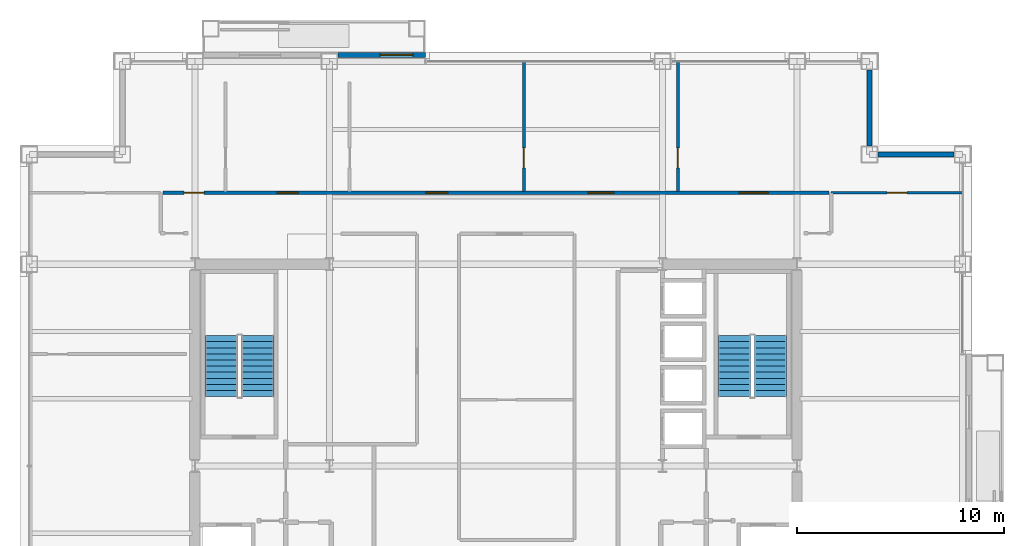
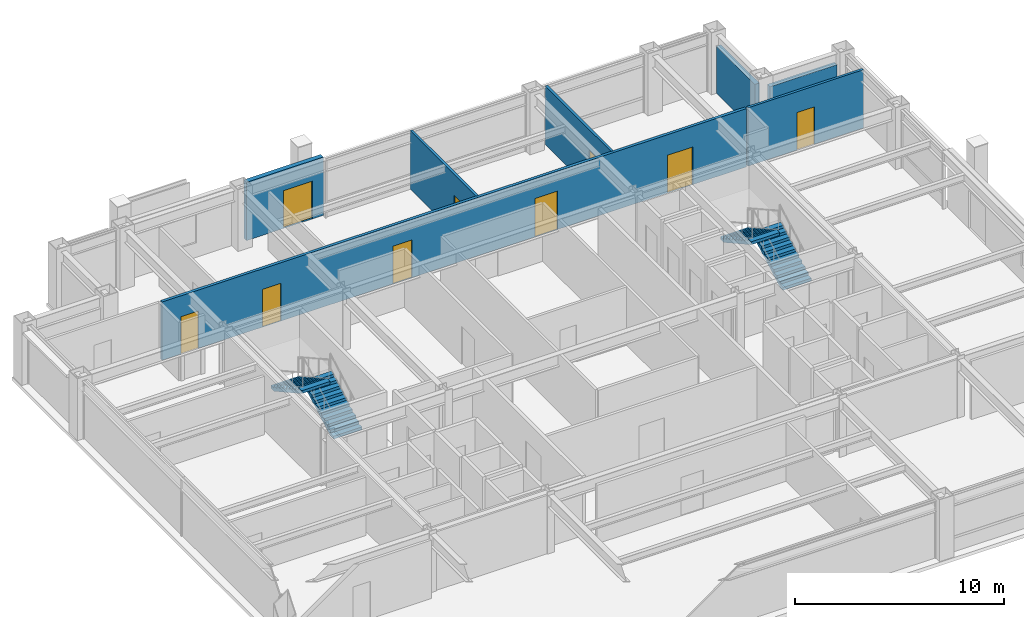
# One storey, part 27 of 29: 9 doors, 7 walls, 4 stair flights, 9 openings, 2 elements without a shape of their own.
"""IFC4 building model written with IfcOpenShell, lengths in metres."""

from ifc_helpers import new_model, si_unit, direction, frame, frame_2d, origin, place, context, subcontext, project, spatial, polyline, rectangle, outline, extrude, material, layer, layer_set, type_object, element, fill, aggregate, save


model = new_model("IFC4")

# Units and contexts
model_context = context("Model", 3, precision=1e-05, world=origin(), true_north=direction((0.0, 1.0)))
body_context = subcontext(model_context, "Body", "Model", "MODEL_VIEW")
ifc_project = project(units=[si_unit("LENGTHUNIT", "METRE"), si_unit("AREAUNIT", "SQUARE_METRE"), si_unit("VOLUMEUNIT", "CUBIC_METRE"), si_unit("PLANEANGLEUNIT", "RADIAN"), si_unit("MASSUNIT", "GRAM", prefix="KILO")], contexts=[model_context])

# Site, building, storey
site_placement = place(None, origin())
site = spatial("IfcSite", under=ifc_project, at=site_placement, CompositionType="ELEMENT")
building_placement = place(site_placement, origin())
building = spatial("IfcBuilding", under=site, at=building_placement, Name="Brelmoor Portico Tower", CompositionType="ELEMENT")
storey_placement = place(building_placement, frame((0.0, 0.0, 135.0)))
storey = spatial("IfcBuildingStorey", under=building, at=storey_placement, Name="L35", CompositionType="ELEMENT", Elevation=135.0)

# Wall, opening, door
ifc_material_1 = material(Name="Precast Concrete C40 Insulated Facade Wall", Category="concrete")
ifc_layer_1 = layer(ifc_material_1, 0.25)
ifc_layer_set_1 = layer_set([ifc_layer_1], Name="Precast Concrete C40 Insulated Facade Wall")
wall_type_1 = type_object("IfcWallType", Name="WL-EXT-250", PredefinedType="STANDARD", material=ifc_layer_set_1)
wall_1_placement = place(storey_placement, frame((-7.6298828125, 19.860107421875, 0.0), z_axis=(0.0, 0.0, 1.0), x_axis=(1.0, 0.0, 0.0)))
wall_1 = element("IfcWall", 1, at=wall_1_placement, inside=storey, type_object=wall_type_1, Name="L35 Loggia Threshold Wall N-2", PredefinedType="STANDARD", context=body_context, shape_type="SweptSolid", body=[
    extrude(rectangle(XDim=4.22998046875, YDim=0.25, at=frame_2d((2.114990234375, 0.0))), origin(), (0.0, 0.0, 1.0), 3.39990234375),
])
opening_1_placement = place(wall_1_placement, frame((2.030029296875, 0.0, 0.0)))
opening_1 = element("IfcOpeningElement", 2, at=opening_1_placement, cuts=wall_1, Name="Opening D-TB1", PredefinedType="OPENING", context=body_context, shape_type="SweptSolid", body=[
    extrude(rectangle(XDim=1.60009765625, YDim=2.199951171875, at=frame_2d((0.800048828125, 1.10009765625))), frame((0.0, 0.135009765625, 0.0), z_axis=(0.0, -1.0, 0.0), x_axis=(1.0, 0.0, 0.0)), (0.0, 0.0, 1.0), 0.27001953125),
])
ifc_material_2 = material(Name="Double-Leaf Thermally Broken Terrace Door", Category="aluminium")
door_type_1 = type_object("IfcDoorType", Name="DR-BALCONY-1600", OperationType="NOTDEFINED", PredefinedType="DOOR", material=ifc_material_2)
door_1_placement = place(opening_1_placement, origin())
door_1 = element("IfcDoor", 3, at=door_1_placement, inside=storey, type_object=door_type_1, Name="D-1546 L35 Tree Balcony Double Door N", OperationType="DOUBLE_DOOR_SINGLE_SWING", OverallHeight=2.199951171875, OverallWidth=1.60009765625, PredefinedType="DOOR", context=body_context, shape_type="SweptSolid", body=[
    extrude(rectangle(XDim=1.60009765625, YDim=2.199951171875, at=frame_2d((0.800048828125, 1.10009765625))), frame((0.0, 0.02490234375, 0.0), z_axis=(0.0, -1.0, 0.0), x_axis=(1.0, 0.0, 0.0)), (0.0, 0.0, 1.0), 0.050048828125),
])
fill(opening_1, door_1)

# Walls
for number, where, z_axis, x_axis, name in (
    (4, (18.4599609375, 15.050048828125, 0.0), (0.0, 0.0, 1.0), (1.0, 0.0, 0.0), "L35 Corner Notch Facade Wall NNEH1"),
    (5, (18.050048828125, 15.4599609375, 0.0), (0.0, 0.0, 1.0), (0.0, 1.0, 0.0), "L35 Corner Notch Facade Wall NNEV1"),
):
    element("IfcWall", number, at=place(storey_placement, frame(where, z_axis=z_axis, x_axis=x_axis)), inside=storey, type_object=wall_type_1, Name=name, PredefinedType="STANDARD", context=body_context, shape_type="SweptSolid", body=[
        extrude(rectangle(XDim=3.679931640625, YDim=0.25, at=frame_2d((1.83984375, 0.0))), origin(), (0.0, 0.0, 1.0), 2.75),
    ])

# Wall, opening, door
ifc_material_3 = material(Name="Insulated Stud Suite Partition", Category="gypsum")
ifc_layer_2 = layer(ifc_material_3, 0.139892578125)
ifc_layer_set_2 = layer_set([ifc_layer_2], Name="Insulated Stud Suite Partition")
wall_type_2 = type_object("IfcWallType", Name="WL-PART-140", PredefinedType="PARTITIONING", material=ifc_layer_set_2)
wall_2_placement = place(storey_placement, frame((1.352783203125, 13.260009765625, 0.0), z_axis=(0.0, 0.0, 1.0), x_axis=(0.0, 1.0, 0.0)))
wall_2 = element("IfcWall", 6, at=wall_2_placement, inside=storey, type_object=wall_type_2, Name="L35 North Suite Partition 3", PredefinedType="PARTITIONING", context=body_context, shape_type="SweptSolid", body=[
    extrude(rectangle(XDim=6.300048828125, YDim=0.139892578125, at=frame_2d((3.14990234375, 0.0))), origin(), (0.0, 0.0, 1.0), 3.39990234375),
])
opening_2_placement = place(wall_2_placement, frame((1.14990234375, 0.0, 0.0)))
opening_2 = element("IfcOpeningElement", 7, at=opening_2_placement, cuts=wall_2, Name="Opening D-IN2", PredefinedType="OPENING", context=body_context, shape_type="SweptSolid", body=[
    extrude(rectangle(XDim=0.9599609375, YDim=2.179931640625, at=frame_2d((0.47998046875, 1.08984375))), frame((0.0, 0.079833984375, 0.0), z_axis=(0.0, -1.0, 0.0), x_axis=(1.0, 0.0, 0.0)), (0.0, 0.0, 1.0), 0.159912109375),
])
ifc_material_4 = material(Name="Lacquered Timber Suite Door", Category="wood")
door_type_2 = type_object("IfcDoorType", Name="DR-INT-950", OperationType="NOTDEFINED", PredefinedType="DOOR", material=ifc_material_4)
door_2_placement = place(opening_2_placement, origin())
door_2 = element("IfcDoor", 8, at=door_2_placement, inside=storey, type_object=door_type_2, Name="D-1534 L35 North Suite Connecting Door 3", OperationType="SINGLE_SWING_LEFT", OverallHeight=2.179931640625, OverallWidth=0.9599609375, PredefinedType="DOOR", context=body_context, shape_type="SweptSolid", body=[
    extrude(rectangle(XDim=0.9599609375, YDim=2.179931640625, at=frame_2d((0.47998046875, 1.08984375))), frame((0.0, 0.02490234375, 0.0), z_axis=(0.0, -1.0, 0.0), x_axis=(1.0, 0.0, 0.0)), (0.0, 0.0, 1.0), 0.050048828125),
])
fill(opening_2, door_2)

wall_3_placement = place(storey_placement, frame((8.793212890625, 13.260009765625, 0.0), z_axis=(0.0, 0.0, 1.0), x_axis=(0.0, 1.0, 0.0)))
wall_3 = element("IfcWall", 9, at=wall_3_placement, inside=storey, type_object=wall_type_2, Name="L35 North Suite Partition 4", PredefinedType="PARTITIONING", context=body_context, shape_type="SweptSolid", body=[
    extrude(rectangle(XDim=6.300048828125, YDim=0.139892578125, at=frame_2d((3.14990234375, 0.0))), origin(), (0.0, 0.0, 1.0), 3.39990234375),
])
opening_3_placement = place(wall_3_placement, frame((1.14990234375, 0.0, 0.0)))
opening_3 = element("IfcOpeningElement", 10, at=opening_3_placement, cuts=wall_3, Name="Opening D-IN2", PredefinedType="OPENING", context=body_context, shape_type="SweptSolid", body=[
    extrude(rectangle(XDim=0.9599609375, YDim=2.179931640625, at=frame_2d((0.47998046875, 1.08984375))), frame((0.0, 0.079833984375, 0.0), z_axis=(0.0, -1.0, 0.0), x_axis=(1.0, 0.0, 0.0)), (0.0, 0.0, 1.0), 0.159912109375),
])
door_3_placement = place(opening_3_placement, origin())
door_3 = element("IfcDoor", 11, at=door_3_placement, inside=storey, type_object=door_type_2, Name="D-1535 L35 North Suite Connecting Door 4", OperationType="SINGLE_SWING_RIGHT", OverallHeight=2.179931640625, OverallWidth=0.9599609375, PredefinedType="DOOR", context=body_context, shape_type="SweptSolid", body=[
    extrude(rectangle(XDim=0.9599609375, YDim=2.179931640625, at=frame_2d((0.47998046875, 1.08984375))), frame((0.0, 0.02490234375, 0.0), z_axis=(0.0, -1.0, 0.0), x_axis=(1.0, 0.0, 0.0)), (0.0, 0.0, 1.0), 0.050048828125),
])
fill(opening_3, door_3)

wall_4_placement = place(storey_placement, frame((16.199951171875, 13.199951171875, 0.0), z_axis=(0.0, 0.0, 1.0), x_axis=(1.0, 0.0, 0.0)))
wall_4 = element("IfcWall", 12, at=wall_4_placement, inside=storey, type_object=wall_type_2, Name="L35 North Wing Closure ER", PredefinedType="PARTITIONING", context=body_context, shape_type="SweptSolid", body=[
    extrude(rectangle(XDim=6.360107421875, YDim=0.139892578125, at=frame_2d((3.18017578125, 0.0))), origin(), (0.0, 0.0, 1.0), 3.39990234375),
])
opening_4_placement = place(wall_4_placement, frame((2.699951171875, 0.0, 0.0)))
opening_4 = element("IfcOpeningElement", 13, at=opening_4_placement, cuts=wall_4, Name="Opening D-IN2", PredefinedType="OPENING", context=body_context, shape_type="SweptSolid", body=[
    extrude(rectangle(XDim=0.9599609375, YDim=2.179931640625, at=frame_2d((0.47998046875, 1.08984375))), frame((0.0, 0.079833984375, 0.0), z_axis=(0.0, -1.0, 0.0), x_axis=(1.0, 0.0, 0.0)), (0.0, 0.0, 1.0), 0.159912109375),
])
door_4_placement = place(opening_4_placement, origin())
door_4 = element("IfcDoor", 14, at=door_4_placement, inside=storey, type_object=door_type_2, Name="D-1536 L35 ER Wing North Suite Door", OperationType="SINGLE_SWING_RIGHT", OverallHeight=2.179931640625, OverallWidth=0.9599609375, PredefinedType="DOOR", context=body_context, shape_type="SweptSolid", body=[
    extrude(rectangle(XDim=0.9599609375, YDim=2.179931640625, at=frame_2d((0.47998046875, 1.08984375))), frame((0.0, 0.02490234375, 0.0), z_axis=(0.0, -1.0, 0.0), x_axis=(1.0, 0.0, 0.0)), (0.0, 0.0, 1.0), 0.050048828125),
])
fill(opening_4, door_4)

# Wall, openings, doors
ifc_material_5 = material(Name="Twin-Frame Acoustic Partition", Category="gypsum")
ifc_layer_3 = layer(ifc_material_5, 0.159912109375)
ifc_layer_set_3 = layer_set([ifc_layer_3], Name="Twin-Frame Acoustic Partition")
wall_type_3 = type_object("IfcWallType", Name="WL-PART-160", PredefinedType="PARTITIONING", material=ifc_layer_set_3)
wall_5_placement = place(storey_placement, frame((-16.10009765625, 13.199951171875, 0.0), z_axis=(0.0, 0.0, 1.0), x_axis=(1.0, 0.0, 0.0)))
wall_5 = element("IfcWall", 15, at=wall_5_placement, inside=storey, type_object=wall_type_3, Name="L35 North Corridor Partition", PredefinedType="PARTITIONING", context=body_context, shape_type="SweptSolid", body=[
    extrude(rectangle(XDim=32.2001953125, YDim=0.159912109375, at=frame_2d((16.10009765625, 0.0))), origin(), (0.0, 0.0, 1.0), 3.39990234375),
])
opening_5_placement = place(wall_5_placement, frame((1.034912109375, 0.0, 0.0)))
opening_5 = element("IfcOpeningElement", 16, at=opening_5_placement, cuts=wall_5, Name="Opening D-IN2", PredefinedType="OPENING", context=body_context, shape_type="SweptSolid", body=[
    extrude(rectangle(XDim=0.9599609375, YDim=2.179931640625, at=frame_2d((0.47998046875, 1.08984375))), frame((0.0, 0.08984375, 0.0), z_axis=(0.0, -1.0, 0.0), x_axis=(1.0, 0.0, 0.0)), (0.0, 0.0, 1.0), 0.179931640625),
])
opening_6_placement = place(wall_5_placement, frame((5.52001953125, 0.0, 0.0)))
opening_6 = element("IfcOpeningElement", 17, at=opening_6_placement, cuts=wall_5, Name="Opening D-OF1", PredefinedType="OPENING", context=body_context, shape_type="SweptSolid", body=[
    extrude(rectangle(XDim=1.02001953125, YDim=2.199951171875, at=frame_2d((0.510009765625, 1.10009765625))), frame((0.0, 0.08984375, 0.0), z_axis=(0.0, -1.0, 0.0), x_axis=(1.0, 0.0, 0.0)), (0.0, 0.0, 1.0), 0.179931640625),
])
opening_7_placement = place(wall_5_placement, frame((12.71142578125, 0.0, 0.0)))
opening_7 = element("IfcOpeningElement", 18, at=opening_7_placement, cuts=wall_5, Name="Opening D-OF2", PredefinedType="OPENING", context=body_context, shape_type="SweptSolid", body=[
    extrude(rectangle(XDim=1.06005859375, YDim=2.199951171875, at=frame_2d((0.530029296875, 1.10009765625))), frame((0.0, 0.08984375, 0.0), z_axis=(0.0, -1.0, 0.0), x_axis=(1.0, 0.0, 0.0)), (0.0, 0.0, 1.0), 0.179931640625),
])
opening_8_placement = place(wall_5_placement, frame((20.552978515625, 0.0, 0.0)))
opening_8 = element("IfcOpeningElement", 19, at=opening_8_placement, cuts=wall_5, Name="Opening D-SU1", PredefinedType="OPENING", context=body_context, shape_type="SweptSolid", body=[
    extrude(rectangle(XDim=1.239990234375, YDim=2.239990234375, at=frame_2d((0.6201171875, 1.1201171875))), frame((0.0, 0.08984375, 0.0), z_axis=(0.0, -1.0, 0.0), x_axis=(1.0, 0.0, 0.0)), (0.0, 0.0, 1.0), 0.179931640625),
])
opening_9_placement = place(wall_5_placement, frame((27.8466796875, 0.0, 0.0)))
opening_9 = element("IfcOpeningElement", 20, at=opening_9_placement, cuts=wall_5, Name="Opening D-SU2", PredefinedType="OPENING", context=body_context, shape_type="SweptSolid", body=[
    extrude(rectangle(XDim=1.39990234375, YDim=2.199951171875, at=frame_2d((0.699951171875, 1.10009765625))), frame((0.0, 0.08984375, 0.0), z_axis=(0.0, -1.0, 0.0), x_axis=(1.0, 0.0, 0.0)), (0.0, 0.0, 1.0), 0.179931640625),
])
door_5_placement = place(opening_5_placement, origin())
door_5 = element("IfcDoor", 21, at=door_5_placement, inside=storey, type_object=door_type_2, Name="D-1527 L35 North Open-Plan Office 1 Door", OperationType="SINGLE_SWING_LEFT", OverallHeight=2.179931640625, OverallWidth=0.9599609375, PredefinedType="DOOR", context=body_context, shape_type="SweptSolid", body=[
    extrude(rectangle(XDim=0.9599609375, YDim=2.179931640625, at=frame_2d((0.47998046875, 1.08984375))), frame((0.0, 0.02490234375, 0.0), z_axis=(0.0, -1.0, 0.0), x_axis=(1.0, 0.0, 0.0)), (0.0, 0.0, 1.0), 0.050048828125),
])
fill(opening_5, door_5)
ifc_material_6 = material(Name="Hardwood Acoustic Veneer Door", Category="wood")
door_type_3 = type_object("IfcDoorType", Name="DR-OFFICE-1000", OperationType="NOTDEFINED", PredefinedType="DOOR", material=ifc_material_6)
door_6_placement = place(opening_6_placement, origin())
door_6 = element("IfcDoor", 22, at=door_6_placement, inside=storey, type_object=door_type_3, Name="D-1528 L35 North Partner Office 2 Door", OperationType="SINGLE_SWING_RIGHT", OverallHeight=2.199951171875, OverallWidth=1.02001953125, PredefinedType="DOOR", context=body_context, shape_type="SweptSolid", body=[
    extrude(rectangle(XDim=1.02001953125, YDim=2.199951171875, at=frame_2d((0.510009765625, 1.10009765625))), frame((0.0, 0.02490234375, 0.0), z_axis=(0.0, -1.0, 0.0), x_axis=(1.0, 0.0, 0.0)), (0.0, 0.0, 1.0), 0.050048828125),
])
fill(opening_6, door_6)
door_type_4 = type_object("IfcDoorType", Name="DR-OFFICE-1050", OperationType="NOTDEFINED", PredefinedType="DOOR", material=ifc_material_6)
door_7_placement = place(opening_7_placement, origin())
door_7 = element("IfcDoor", 23, at=door_7_placement, inside=storey, type_object=door_type_4, Name="D-1529 L35 North Cellular Office 3 Door", OperationType="SINGLE_SWING_LEFT", OverallHeight=2.199951171875, OverallWidth=1.06005859375, PredefinedType="DOOR", context=body_context, shape_type="SweptSolid", body=[
    extrude(rectangle(XDim=1.06005859375, YDim=2.199951171875, at=frame_2d((0.530029296875, 1.10009765625))), frame((0.0, 0.02490234375, 0.0), z_axis=(0.0, -1.0, 0.0), x_axis=(1.0, 0.0, 0.0)), (0.0, 0.0, 1.0), 0.050048828125),
])
fill(opening_7, door_7)
ifc_material_7 = material(Name="Glazed Timber Executive Suite Door", Category="wood")
door_type_5 = type_object("IfcDoorType", Name="DR-SUITE-1200", OperationType="NOTDEFINED", PredefinedType="DOOR", material=ifc_material_7)
door_8_placement = place(opening_8_placement, origin())
door_8 = element("IfcDoor", 24, at=door_8_placement, inside=storey, type_object=door_type_5, Name="D-1530 L35 North First-Aid Consultation 4 Door", OperationType="SINGLE_SWING_RIGHT", OverallHeight=2.239990234375, OverallWidth=1.239990234375, PredefinedType="DOOR", context=body_context, shape_type="SweptSolid", body=[
    extrude(rectangle(XDim=1.239990234375, YDim=2.239990234375, at=frame_2d((0.6201171875, 1.1201171875))), frame((0.0, 0.02490234375, 0.0), z_axis=(0.0, -1.0, 0.0), x_axis=(1.0, 0.0, 0.0)), (0.0, 0.0, 1.0), 0.050048828125),
])
fill(opening_8, door_8)
ifc_material_8 = material(Name="Double-Leaf Acoustic Suite Door", Category="timber")
door_type_6 = type_object("IfcDoorType", Name="DR-SUITE-1400", OperationType="NOTDEFINED", PredefinedType="DOOR", material=ifc_material_8)
door_9_placement = place(opening_9_placement, origin())
door_9 = element("IfcDoor", 25, at=door_9_placement, inside=storey, type_object=door_type_6, Name="D-1531 L35 North Project Mail Room 5 Door", OperationType="DOUBLE_DOOR_SINGLE_SWING", OverallHeight=2.199951171875, OverallWidth=1.39990234375, PredefinedType="DOOR", context=body_context, shape_type="SweptSolid", body=[
    extrude(rectangle(XDim=1.39990234375, YDim=2.199951171875, at=frame_2d((0.699951171875, 1.10009765625))), frame((0.0, 0.02490234375, 0.0), z_axis=(0.0, -1.0, 0.0), x_axis=(1.0, 0.0, 0.0)), (0.0, 0.0, 1.0), 0.050048828125),
])
fill(opening_9, door_9)

# Stair, stair flights
ifc_material_9 = material(Name="Concrete C40", Category="concrete")
stair_type_1 = type_object("IfcStairType", Name="ST-CORE-W", PredefinedType="HALF_TURN_STAIR", material=ifc_material_9)
stair_1_placement = place(storey_placement, origin())
stair_1 = element("IfcStair", 26, at=stair_1_placement, inside=storey, type_object=stair_type_1, Name="L35 Protected Core Exit Stair ST-W", PredefinedType="HALF_TURN_STAIR")
stair_flight_type = type_object("IfcStairFlightType", Name="SF-CORE-1850", PredefinedType="STRAIGHT", material=ifc_material_9)
stair_flight_1_placement = place(storey_placement, frame((-11.510009765625, 3.35009765625, 0.0), z_axis=(0.0, 0.0, 1.0), x_axis=(0.0, 1.0, 0.0)))
stair_flight_1 = element("IfcStairFlight", 27, at=stair_flight_1_placement, type_object=stair_flight_type, Name="ST-W flight 1", NumberOfRisers=11, NumberOfTreads=10, PredefinedType="STRAIGHT", RiserHeight=0.163636364, TreadLength=0.295, context=body_context, shape_type="SweptSolid", body=[
    extrude(outline(polyline([(0.0, 0.0), (0.0, 0.16357421875), (0.294921875, 0.16357421875), (0.294921875, 0.327392578125), (0.590087890625, 0.327392578125), (0.590087890625, 0.490966796875), (0.885009765625, 0.490966796875), (0.885009765625, 0.654541015625), (1.179931640625, 0.654541015625), (1.179931640625, 0.818115234375), (1.47509765625, 0.818115234375), (1.47509765625, 0.98193359375), (1.77001953125, 0.98193359375), (1.77001953125, 1.1455078125), (2.06494140625, 1.1455078125), (2.06494140625, 1.30908203125), (2.360107421875, 1.30908203125), (2.360107421875, 1.47265625), (2.655029296875, 1.47265625), (2.655029296875, 1.636474609375), (2.949951171875, 1.636474609375), (2.949951171875, 1.800048828125), (2.949951171875, 1.46484375), (0.30908203125, 0.0), (0.0, 0.0)])), frame((0.0, 0.780029296875, 0.0), z_axis=(0.0, -1.0, 0.0), x_axis=(1.0, 0.0, 0.0)), (0.0, 0.0, 1.0), 1.56005859375),
])
stair_flight_2_placement = place(storey_placement, frame((-13.27001953125, 6.300048828125, 1.800048828125), z_axis=(0.0, 0.0, 1.0), x_axis=(0.0, -1.0, 0.0)))
stair_flight_2 = element("IfcStairFlight", 28, at=stair_flight_2_placement, type_object=stair_flight_type, Name="ST-W flight 2", NumberOfRisers=11, NumberOfTreads=10, PredefinedType="STRAIGHT", RiserHeight=0.163636364, TreadLength=0.295, context=body_context, shape_type="SweptSolid", body=[
    extrude(outline(polyline([(0.0, 0.0), (0.0, 0.16357421875), (0.294921875, 0.16357421875), (0.294921875, 0.327392578125), (0.590087890625, 0.327392578125), (0.590087890625, 0.490966796875), (0.885009765625, 0.490966796875), (0.885009765625, 0.654541015625), (1.179931640625, 0.654541015625), (1.179931640625, 0.818115234375), (1.47509765625, 0.818115234375), (1.47509765625, 0.98193359375), (1.77001953125, 0.98193359375), (1.77001953125, 1.1455078125), (2.06494140625, 1.1455078125), (2.06494140625, 1.30908203125), (2.360107421875, 1.30908203125), (2.360107421875, 1.47265625), (2.655029296875, 1.47265625), (2.655029296875, 1.636474609375), (2.949951171875, 1.636474609375), (2.949951171875, 1.800048828125), (2.949951171875, 1.46484375), (0.30908203125, 0.0), (0.0, 0.0)])), frame((0.0, 0.780029296875, 0.0), z_axis=(0.0, -1.0, 0.0), x_axis=(1.0, 0.0, 0.0)), (0.0, 0.0, 1.0), 1.56005859375),
])
aggregate(stair_1, [stair_flight_1, stair_flight_2])

stair_type_2 = type_object("IfcStairType", Name="ST-CORE-E", PredefinedType="HALF_TURN_STAIR", material=ifc_material_9)
stair_2_placement = place(storey_placement, origin())
stair_2 = element("IfcStair", 29, at=stair_2_placement, inside=storey, type_object=stair_type_2, Name="L35 Protected Core Exit Stair ST-E", PredefinedType="HALF_TURN_STAIR")
stair_flight_3_placement = place(storey_placement, frame((13.27001953125, 3.35009765625, 0.0), z_axis=(0.0, 0.0, 1.0), x_axis=(0.0, 1.0, 0.0)))
stair_flight_3 = element("IfcStairFlight", 30, at=stair_flight_3_placement, type_object=stair_flight_type, Name="ST-E flight 1", NumberOfRisers=11, NumberOfTreads=10, PredefinedType="STRAIGHT", RiserHeight=0.163636364, TreadLength=0.295, context=body_context, shape_type="SweptSolid", body=[
    extrude(outline(polyline([(0.0, 0.0), (0.0, 0.16357421875), (0.294921875, 0.16357421875), (0.294921875, 0.327392578125), (0.590087890625, 0.327392578125), (0.590087890625, 0.490966796875), (0.885009765625, 0.490966796875), (0.885009765625, 0.654541015625), (1.179931640625, 0.654541015625), (1.179931640625, 0.818115234375), (1.47509765625, 0.818115234375), (1.47509765625, 0.98193359375), (1.77001953125, 0.98193359375), (1.77001953125, 1.1455078125), (2.06494140625, 1.1455078125), (2.06494140625, 1.30908203125), (2.360107421875, 1.30908203125), (2.360107421875, 1.47265625), (2.655029296875, 1.47265625), (2.655029296875, 1.636474609375), (2.949951171875, 1.636474609375), (2.949951171875, 1.800048828125), (2.949951171875, 1.46484375), (0.30908203125, 0.0), (0.0, 0.0)])), frame((0.0, 0.780029296875, 0.0), z_axis=(0.0, -1.0, 0.0), x_axis=(1.0, 0.0, 0.0)), (0.0, 0.0, 1.0), 1.56005859375),
])
stair_flight_4_placement = place(storey_placement, frame((11.510009765625, 6.300048828125, 1.800048828125), z_axis=(0.0, 0.0, 1.0), x_axis=(0.0, -1.0, 0.0)))
stair_flight_4 = element("IfcStairFlight", 31, at=stair_flight_4_placement, type_object=stair_flight_type, Name="ST-E flight 2", NumberOfRisers=11, NumberOfTreads=10, PredefinedType="STRAIGHT", RiserHeight=0.163636364, TreadLength=0.295, context=body_context, shape_type="SweptSolid", body=[
    extrude(outline(polyline([(0.0, 0.0), (0.0, 0.16357421875), (0.294921875, 0.16357421875), (0.294921875, 0.327392578125), (0.590087890625, 0.327392578125), (0.590087890625, 0.490966796875), (0.885009765625, 0.490966796875), (0.885009765625, 0.654541015625), (1.179931640625, 0.654541015625), (1.179931640625, 0.818115234375), (1.47509765625, 0.818115234375), (1.47509765625, 0.98193359375), (1.77001953125, 0.98193359375), (1.77001953125, 1.1455078125), (2.06494140625, 1.1455078125), (2.06494140625, 1.30908203125), (2.360107421875, 1.30908203125), (2.360107421875, 1.47265625), (2.655029296875, 1.47265625), (2.655029296875, 1.636474609375), (2.949951171875, 1.636474609375), (2.949951171875, 1.800048828125), (2.949951171875, 1.46484375), (0.30908203125, 0.0), (0.0, 0.0)])), frame((0.0, 0.780029296875, 0.0), z_axis=(0.0, -1.0, 0.0), x_axis=(1.0, 0.0, 0.0)), (0.0, 0.0, 1.0), 1.56005859375),
])
aggregate(stair_2, [stair_flight_3, stair_flight_4])

save(model, "model.ifc")
